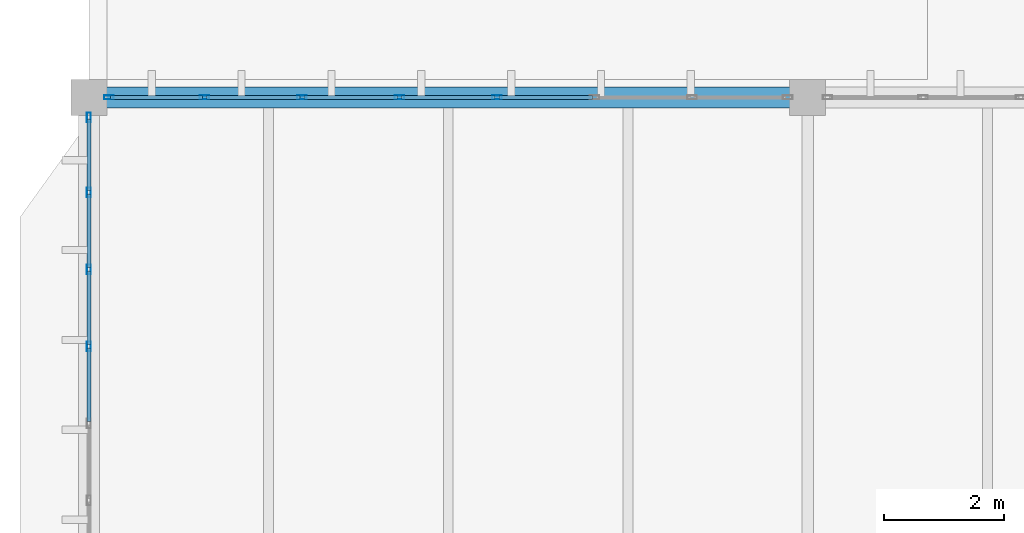
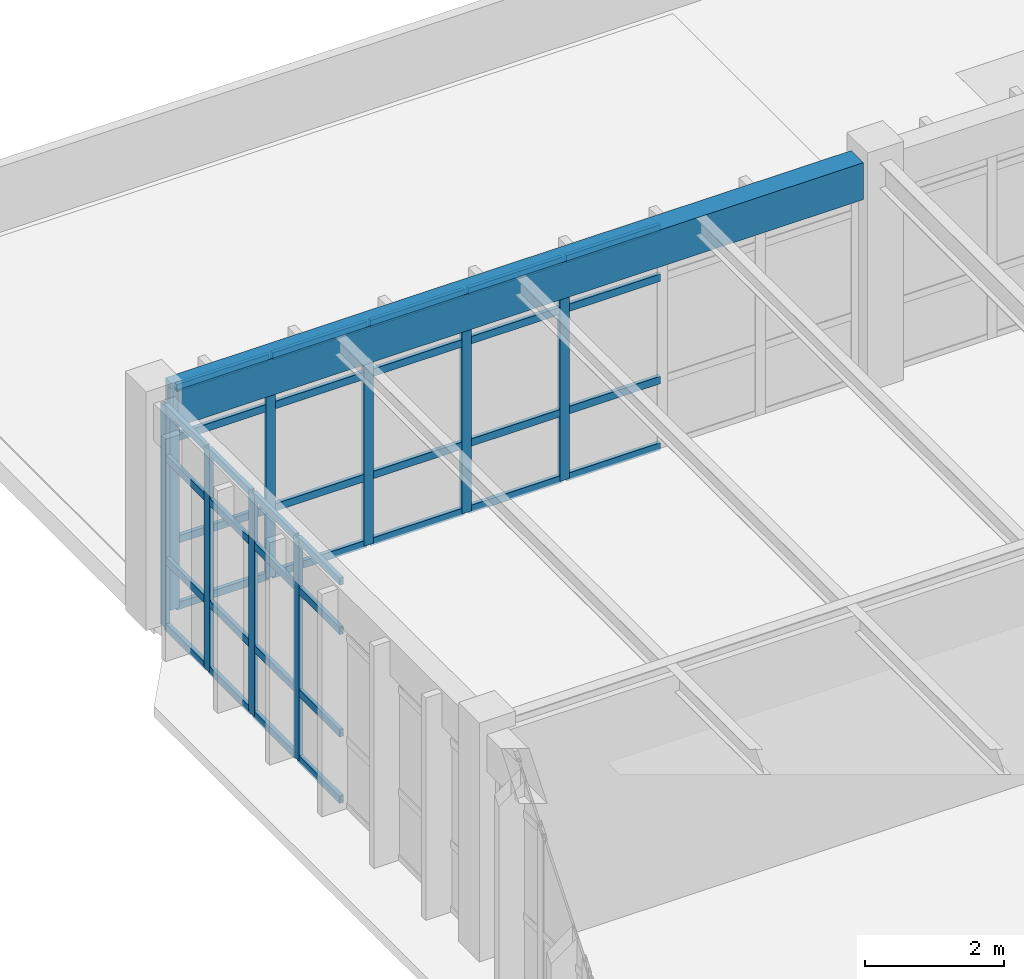
# One storey, part 18 of 37: 45 members, 1 beam, 2 elements without a shape of their own.
"""IFC4 building model written with IfcOpenShell, lengths in metres."""

from ifc_helpers import new_model, si_unit, direction, frame, origin, origin_2d, place, context, subcontext, project, spatial, rectangle, hollow_rectangle, extrude, material, layer, layer_set, material_profile, profile_set, type_object, element, aggregate, save


model = new_model("IFC4")

# Units and contexts
model_context = context("Model", 3, precision=1e-05, world=origin(), true_north=direction((0.0, 1.0)))
body_context = subcontext(model_context, "Body", "Model", "MODEL_VIEW")
ifc_project = project(units=[si_unit("LENGTHUNIT", "METRE"), si_unit("AREAUNIT", "SQUARE_METRE"), si_unit("VOLUMEUNIT", "CUBIC_METRE"), si_unit("PLANEANGLEUNIT", "RADIAN"), si_unit("MASSUNIT", "GRAM", prefix="KILO")], contexts=[model_context])

# Site, building, storey
site_placement = place(None, origin())
site = spatial("IfcSite", under=ifc_project, at=site_placement, CompositionType="ELEMENT")
building_placement = place(site_placement, origin())
building = spatial("IfcBuilding", under=site, at=building_placement, Name="Pandanus Reach Market Hall", CompositionType="ELEMENT")
storey_placement = place(building_placement, frame((0.0, 0.0, 14.39990234375)))
storey = spatial("IfcBuildingStorey", under=building, at=storey_placement, Name="L03", CompositionType="ELEMENT", Elevation=14.39990234375)

# Beam
ifc_material_1 = material(Name="Concrete N40 (40 MPa)", Category="concrete")
ifc_material_profile_1 = material_profile(ifc_material_1, rectangle(XDim=0.35009765625, YDim=0.64990234375, at=origin_2d()), Name="RC350x650", Category="LoadBearing")
ifc_profile_set_1 = profile_set([ifc_material_profile_1], Name="Concrete N40 (40 MPa)")
beam_type = type_object("IfcBeamType", Name="BM-RC350-E", PredefinedType="SPANDREL", material=ifc_profile_set_1)
beam_placement = place(storey_placement, frame((144.298095703125, 76.800048828125, 3.630126953125), z_axis=(1.0, 0.0, 0.0), x_axis=(0.0, 1.0, 0.0)))
element("IfcBeam", 1, at=beam_placement, inside=storey, type_object=beam_type, Name="Framing beam BM-RC350-E L03.551", PredefinedType="SPANDREL", context=body_context, shape_type="SweptSolid", body=[
    extrude(rectangle(XDim=0.35009765625, YDim=0.64990234375, at=origin_2d()), origin(), (0.0, 0.0, 1.0), 11.40380859375),
])

# Curtain wall, members
ifc_material_2 = material(Name="Bronze anodised aluminium and low-E glass", Category="aluminium")
ifc_layer_1 = layer(ifc_material_2, 0.159912109375, Name="CW-31")
ifc_layer_set_1 = layer_set([ifc_layer_1], Name="Bronze anodised aluminium and low-E glass")
curtain_wall_type_1 = type_object("IfcCurtainWallType", Name="CW-31", PredefinedType="NOTDEFINED", material=ifc_layer_set_1)
curtain_wall_1_placement = place(storey_placement, origin())
curtain_wall_1 = element("IfcCurtainWall", 2, at=curtain_wall_1_placement, inside=storey, type_object=curtain_wall_type_1, Name="Glazed curtain wall CW-31 CW-0118", PredefinedType="NOTDEFINED")
ifc_material_3 = material(Name="Bronze anodised aluminium", Category="aluminium")
ifc_material_profile_2 = material_profile(ifc_material_3, hollow_rectangle(XDim=0.06494140625, YDim=0.159912109375, WallThickness=0.00390625, at=origin_2d()), Name="ALU65x160", Category="LoadBearing")
ifc_profile_set_2 = profile_set([ifc_material_profile_2], Name="Bronze anodised aluminium")
member_type_1 = type_object("IfcMemberType", Name="CW-M1", PredefinedType="MULLION", material=ifc_profile_set_2)
member_1_placement = place(storey_placement, frame((144.33251953125, 76.800048828125, 0.0), z_axis=(0.0, 0.0, 1.0), x_axis=(0.0, 1.0, 0.0)))
member_1 = element("IfcMember", 3, at=member_1_placement, type_object=member_type_1, Name="CW-31 mullion 1", PredefinedType="MULLION", context=body_context, shape_type="SweptSolid", body=[
    extrude(hollow_rectangle(XDim=0.06494140625, YDim=0.159912109375, WallThickness=0.00390625, at=origin_2d()), origin(), (0.0, 0.0, 1.0), 3.900146484375),
])
member_2_placement = place(storey_placement, frame((145.928466796875, 76.800048828125, 0.0), z_axis=(0.0, 0.0, 1.0), x_axis=(0.0, 1.0, 0.0)))
member_2 = element("IfcMember", 4, at=member_2_placement, type_object=member_type_1, Name="CW-31 mullion 2", PredefinedType="MULLION", context=body_context, shape_type="SweptSolid", body=[
    extrude(hollow_rectangle(XDim=0.06494140625, YDim=0.159912109375, WallThickness=0.00390625, at=origin_2d()), origin(), (0.0, 0.0, 1.0), 3.900146484375),
])
member_3_placement = place(storey_placement, frame((147.55712890625, 76.800048828125, 0.0), z_axis=(0.0, 0.0, 1.0), x_axis=(0.0, 1.0, 0.0)))
member_3 = element("IfcMember", 5, at=member_3_placement, type_object=member_type_1, Name="CW-31 mullion 3", PredefinedType="MULLION", context=body_context, shape_type="SweptSolid", body=[
    extrude(hollow_rectangle(XDim=0.06494140625, YDim=0.159912109375, WallThickness=0.00390625, at=origin_2d()), origin(), (0.0, 0.0, 1.0), 3.900146484375),
])
member_4_placement = place(storey_placement, frame((149.185791015625, 76.800048828125, 0.0), z_axis=(0.0, 0.0, 1.0), x_axis=(0.0, 1.0, 0.0)))
member_4 = element("IfcMember", 6, at=member_4_placement, type_object=member_type_1, Name="CW-31 mullion 4", PredefinedType="MULLION", context=body_context, shape_type="SweptSolid", body=[
    extrude(hollow_rectangle(XDim=0.06494140625, YDim=0.159912109375, WallThickness=0.00390625, at=origin_2d()), origin(), (0.0, 0.0, 1.0), 3.900146484375),
])
member_5_placement = place(storey_placement, frame((150.814208984375, 76.800048828125, 0.0), z_axis=(0.0, 0.0, 1.0), x_axis=(0.0, 1.0, 0.0)))
member_5 = element("IfcMember", 7, at=member_5_placement, type_object=member_type_1, Name="CW-31 mullion 5", PredefinedType="MULLION", context=body_context, shape_type="SweptSolid", body=[
    extrude(hollow_rectangle(XDim=0.06494140625, YDim=0.159912109375, WallThickness=0.00390625, at=origin_2d()), origin(), (0.0, 0.0, 1.0), 3.900146484375),
])

ifc_layer_2 = layer(ifc_material_2, 0.159912109375, Name="CW-33")
ifc_layer_set_2 = layer_set([ifc_layer_2], Name="Bronze anodised aluminium and low-E glass")
curtain_wall_type_2 = type_object("IfcCurtainWallType", Name="CW-33", PredefinedType="NOTDEFINED", material=ifc_layer_set_2)
curtain_wall_2_placement = place(storey_placement, origin())
curtain_wall_2 = element("IfcCurtainWall", 8, at=curtain_wall_2_placement, inside=storey, type_object=curtain_wall_type_2, Name="Glazed curtain wall CW-33 CW-0126", PredefinedType="NOTDEFINED")
member_6_placement = place(storey_placement, frame((144.0, 72.642822265625, 0.0), z_axis=(0.0, 0.0, 1.0), x_axis=(-1.0, 0.0, 0.0)))
member_6 = element("IfcMember", 9, at=member_6_placement, type_object=member_type_1, Name="CW-33 mullion 5", PredefinedType="MULLION", context=body_context, shape_type="SweptSolid", body=[
    extrude(hollow_rectangle(XDim=0.06494140625, YDim=0.159912109375, WallThickness=0.00390625, at=origin_2d()), origin(), (0.0, 0.0, 1.0), 3.900146484375),
])
member_7_placement = place(storey_placement, frame((144.0, 73.928466796875, 0.0), z_axis=(0.0, 0.0, 1.0), x_axis=(-1.0, 0.0, 0.0)))
member_7 = element("IfcMember", 10, at=member_7_placement, type_object=member_type_1, Name="CW-33 mullion 6", PredefinedType="MULLION", context=body_context, shape_type="SweptSolid", body=[
    extrude(hollow_rectangle(XDim=0.06494140625, YDim=0.159912109375, WallThickness=0.00390625, at=origin_2d()), origin(), (0.0, 0.0, 1.0), 3.900146484375),
])
member_8_placement = place(storey_placement, frame((144.0, 75.21435546875, 0.0), z_axis=(0.0, 0.0, 1.0), x_axis=(-1.0, 0.0, 0.0)))
member_8 = element("IfcMember", 11, at=member_8_placement, type_object=member_type_1, Name="CW-33 mullion 7", PredefinedType="MULLION", context=body_context, shape_type="SweptSolid", body=[
    extrude(hollow_rectangle(XDim=0.06494140625, YDim=0.159912109375, WallThickness=0.00390625, at=origin_2d()), origin(), (0.0, 0.0, 1.0), 3.900146484375),
])
member_9_placement = place(storey_placement, frame((144.0, 76.467529296875, 0.0), z_axis=(0.0, 0.0, 1.0), x_axis=(-1.0, 0.0, 0.0)))
member_9 = element("IfcMember", 12, at=member_9_placement, type_object=member_type_1, Name="CW-33 mullion 8", PredefinedType="MULLION", context=body_context, shape_type="SweptSolid", body=[
    extrude(hollow_rectangle(XDim=0.06494140625, YDim=0.159912109375, WallThickness=0.00390625, at=origin_2d()), origin(), (0.0, 0.0, 1.0), 3.900146484375),
])

# Member
ifc_material_profile_3 = material_profile(ifc_material_3, hollow_rectangle(XDim=0.06494140625, YDim=0.1298828125, WallThickness=0.00390625, at=origin_2d()), Name="ALU65x130", Category="LoadBearing")
ifc_profile_set_3 = profile_set([ifc_material_profile_3], Name="Bronze anodised aluminium")
member_type_2 = type_object("IfcMemberType", Name="CW-T1", PredefinedType="USERDEFINED", material=ifc_profile_set_3)
member_10_placement = place(storey_placement, frame((144.364990234375, 76.800048828125, 0.03271484375), z_axis=(1.0, 0.0, 0.0), x_axis=(0.0, 1.0, 0.0)))
member_10 = element("IfcMember", 13, at=member_10_placement, type_object=member_type_2, Name="CW-31 transom 1.1", ObjectType="TRANSOM", PredefinedType="USERDEFINED", context=body_context, shape_type="SweptSolid", body=[
    extrude(hollow_rectangle(XDim=0.06494140625, YDim=0.1298828125, WallThickness=0.00390625, at=origin_2d()), origin(), (0.0, 0.0, 1.0), 1.531005859375),
])

member_11_placement = place(storey_placement, frame((144.364990234375, 76.800048828125, 1.2001953125), z_axis=(1.0, 0.0, 0.0), x_axis=(0.0, 1.0, 0.0)))
member_11 = element("IfcMember", 14, at=member_11_placement, type_object=member_type_2, Name="CW-31 transom 1.2", ObjectType="TRANSOM", PredefinedType="USERDEFINED", context=body_context, shape_type="SweptSolid", body=[
    extrude(hollow_rectangle(XDim=0.06494140625, YDim=0.1298828125, WallThickness=0.00390625, at=origin_2d()), origin(), (0.0, 0.0, 1.0), 1.531005859375),
])

member_12_placement = place(storey_placement, frame((144.364990234375, 76.800048828125, 3.0), z_axis=(1.0, 0.0, 0.0), x_axis=(0.0, 1.0, 0.0)))
member_12 = element("IfcMember", 15, at=member_12_placement, type_object=member_type_2, Name="CW-31 transom 1.3", ObjectType="TRANSOM", PredefinedType="USERDEFINED", context=body_context, shape_type="SweptSolid", body=[
    extrude(hollow_rectangle(XDim=0.06494140625, YDim=0.1298828125, WallThickness=0.00390625, at=origin_2d()), origin(), (0.0, 0.0, 1.0), 1.531005859375),
])

member_13_placement = place(storey_placement, frame((144.364990234375, 76.800048828125, 3.86767578125), z_axis=(1.0, 0.0, 0.0), x_axis=(0.0, 1.0, 0.0)))
member_13 = element("IfcMember", 16, at=member_13_placement, type_object=member_type_2, Name="CW-31 transom 1.4", ObjectType="TRANSOM", PredefinedType="USERDEFINED", context=body_context, shape_type="SweptSolid", body=[
    extrude(hollow_rectangle(XDim=0.06494140625, YDim=0.1298828125, WallThickness=0.00390625, at=origin_2d()), origin(), (0.0, 0.0, 1.0), 1.531005859375),
])

member_14_placement = place(storey_placement, frame((145.961181640625, 76.800048828125, 0.03271484375), z_axis=(1.0, 0.0, 0.0), x_axis=(0.0, 1.0, 0.0)))
member_14 = element("IfcMember", 17, at=member_14_placement, type_object=member_type_2, Name="CW-31 transom 2.1", ObjectType="TRANSOM", PredefinedType="USERDEFINED", context=body_context, shape_type="SweptSolid", body=[
    extrude(hollow_rectangle(XDim=0.06494140625, YDim=0.1298828125, WallThickness=0.00390625, at=origin_2d()), origin(), (0.0, 0.0, 1.0), 1.5634765625),
])

member_15_placement = place(storey_placement, frame((145.961181640625, 76.800048828125, 1.2001953125), z_axis=(1.0, 0.0, 0.0), x_axis=(0.0, 1.0, 0.0)))
member_15 = element("IfcMember", 18, at=member_15_placement, type_object=member_type_2, Name="CW-31 transom 2.2", ObjectType="TRANSOM", PredefinedType="USERDEFINED", context=body_context, shape_type="SweptSolid", body=[
    extrude(hollow_rectangle(XDim=0.06494140625, YDim=0.1298828125, WallThickness=0.00390625, at=origin_2d()), origin(), (0.0, 0.0, 1.0), 1.5634765625),
])

member_16_placement = place(storey_placement, frame((145.961181640625, 76.800048828125, 3.0), z_axis=(1.0, 0.0, 0.0), x_axis=(0.0, 1.0, 0.0)))
member_16 = element("IfcMember", 19, at=member_16_placement, type_object=member_type_2, Name="CW-31 transom 2.3", ObjectType="TRANSOM", PredefinedType="USERDEFINED", context=body_context, shape_type="SweptSolid", body=[
    extrude(hollow_rectangle(XDim=0.06494140625, YDim=0.1298828125, WallThickness=0.00390625, at=origin_2d()), origin(), (0.0, 0.0, 1.0), 1.5634765625),
])

member_17_placement = place(storey_placement, frame((145.961181640625, 76.800048828125, 3.86767578125), z_axis=(1.0, 0.0, 0.0), x_axis=(0.0, 1.0, 0.0)))
member_17 = element("IfcMember", 20, at=member_17_placement, type_object=member_type_2, Name="CW-31 transom 2.4", ObjectType="TRANSOM", PredefinedType="USERDEFINED", context=body_context, shape_type="SweptSolid", body=[
    extrude(hollow_rectangle(XDim=0.06494140625, YDim=0.1298828125, WallThickness=0.00390625, at=origin_2d()), origin(), (0.0, 0.0, 1.0), 1.5634765625),
])

member_18_placement = place(storey_placement, frame((147.589599609375, 76.800048828125, 0.03271484375), z_axis=(1.0, 0.0, 0.0), x_axis=(0.0, 1.0, 0.0)))
member_18 = element("IfcMember", 21, at=member_18_placement, type_object=member_type_2, Name="CW-31 transom 3.1", ObjectType="TRANSOM", PredefinedType="USERDEFINED", context=body_context, shape_type="SweptSolid", body=[
    extrude(hollow_rectangle(XDim=0.06494140625, YDim=0.1298828125, WallThickness=0.00390625, at=origin_2d()), origin(), (0.0, 0.0, 1.0), 1.563720703125),
])

member_19_placement = place(storey_placement, frame((147.589599609375, 76.800048828125, 1.2001953125), z_axis=(1.0, 0.0, 0.0), x_axis=(0.0, 1.0, 0.0)))
member_19 = element("IfcMember", 22, at=member_19_placement, type_object=member_type_2, Name="CW-31 transom 3.2", ObjectType="TRANSOM", PredefinedType="USERDEFINED", context=body_context, shape_type="SweptSolid", body=[
    extrude(hollow_rectangle(XDim=0.06494140625, YDim=0.1298828125, WallThickness=0.00390625, at=origin_2d()), origin(), (0.0, 0.0, 1.0), 1.563720703125),
])

member_20_placement = place(storey_placement, frame((147.589599609375, 76.800048828125, 3.0), z_axis=(1.0, 0.0, 0.0), x_axis=(0.0, 1.0, 0.0)))
member_20 = element("IfcMember", 23, at=member_20_placement, type_object=member_type_2, Name="CW-31 transom 3.3", ObjectType="TRANSOM", PredefinedType="USERDEFINED", context=body_context, shape_type="SweptSolid", body=[
    extrude(hollow_rectangle(XDim=0.06494140625, YDim=0.1298828125, WallThickness=0.00390625, at=origin_2d()), origin(), (0.0, 0.0, 1.0), 1.563720703125),
])

member_21_placement = place(storey_placement, frame((147.589599609375, 76.800048828125, 3.86767578125), z_axis=(1.0, 0.0, 0.0), x_axis=(0.0, 1.0, 0.0)))
member_21 = element("IfcMember", 24, at=member_21_placement, type_object=member_type_2, Name="CW-31 transom 3.4", ObjectType="TRANSOM", PredefinedType="USERDEFINED", context=body_context, shape_type="SweptSolid", body=[
    extrude(hollow_rectangle(XDim=0.06494140625, YDim=0.1298828125, WallThickness=0.00390625, at=origin_2d()), origin(), (0.0, 0.0, 1.0), 1.563720703125),
])

member_22_placement = place(storey_placement, frame((149.21826171875, 76.800048828125, 0.03271484375), z_axis=(1.0, 0.0, 0.0), x_axis=(0.0, 1.0, 0.0)))
member_22 = element("IfcMember", 25, at=member_22_placement, type_object=member_type_2, Name="CW-31 transom 4.1", ObjectType="TRANSOM", PredefinedType="USERDEFINED", context=body_context, shape_type="SweptSolid", body=[
    extrude(hollow_rectangle(XDim=0.06494140625, YDim=0.1298828125, WallThickness=0.00390625, at=origin_2d()), origin(), (0.0, 0.0, 1.0), 1.5634765625),
])

member_23_placement = place(storey_placement, frame((149.21826171875, 76.800048828125, 1.2001953125), z_axis=(1.0, 0.0, 0.0), x_axis=(0.0, 1.0, 0.0)))
member_23 = element("IfcMember", 26, at=member_23_placement, type_object=member_type_2, Name="CW-31 transom 4.2", ObjectType="TRANSOM", PredefinedType="USERDEFINED", context=body_context, shape_type="SweptSolid", body=[
    extrude(hollow_rectangle(XDim=0.06494140625, YDim=0.1298828125, WallThickness=0.00390625, at=origin_2d()), origin(), (0.0, 0.0, 1.0), 1.5634765625),
])

member_24_placement = place(storey_placement, frame((149.21826171875, 76.800048828125, 3.0), z_axis=(1.0, 0.0, 0.0), x_axis=(0.0, 1.0, 0.0)))
member_24 = element("IfcMember", 27, at=member_24_placement, type_object=member_type_2, Name="CW-31 transom 4.3", ObjectType="TRANSOM", PredefinedType="USERDEFINED", context=body_context, shape_type="SweptSolid", body=[
    extrude(hollow_rectangle(XDim=0.06494140625, YDim=0.1298828125, WallThickness=0.00390625, at=origin_2d()), origin(), (0.0, 0.0, 1.0), 1.5634765625),
])

member_25_placement = place(storey_placement, frame((149.21826171875, 76.800048828125, 3.86767578125), z_axis=(1.0, 0.0, 0.0), x_axis=(0.0, 1.0, 0.0)))
member_25 = element("IfcMember", 28, at=member_25_placement, type_object=member_type_2, Name="CW-31 transom 4.4", ObjectType="TRANSOM", PredefinedType="USERDEFINED", context=body_context, shape_type="SweptSolid", body=[
    extrude(hollow_rectangle(XDim=0.06494140625, YDim=0.1298828125, WallThickness=0.00390625, at=origin_2d()), origin(), (0.0, 0.0, 1.0), 1.5634765625),
])

member_26_placement = place(storey_placement, frame((150.8466796875, 76.800048828125, 0.03271484375), z_axis=(1.0, 0.0, 0.0), x_axis=(0.0, 1.0, 0.0)))
member_26 = element("IfcMember", 29, at=member_26_placement, type_object=member_type_2, Name="CW-31 transom 5.1", ObjectType="TRANSOM", PredefinedType="USERDEFINED", context=body_context, shape_type="SweptSolid", body=[
    extrude(hollow_rectangle(XDim=0.06494140625, YDim=0.1298828125, WallThickness=0.00390625, at=origin_2d()), origin(), (0.0, 0.0, 1.0), 1.563720703125),
])

member_27_placement = place(storey_placement, frame((150.8466796875, 76.800048828125, 1.2001953125), z_axis=(1.0, 0.0, 0.0), x_axis=(0.0, 1.0, 0.0)))
member_27 = element("IfcMember", 30, at=member_27_placement, type_object=member_type_2, Name="CW-31 transom 5.2", ObjectType="TRANSOM", PredefinedType="USERDEFINED", context=body_context, shape_type="SweptSolid", body=[
    extrude(hollow_rectangle(XDim=0.06494140625, YDim=0.1298828125, WallThickness=0.00390625, at=origin_2d()), origin(), (0.0, 0.0, 1.0), 1.563720703125),
])

member_28_placement = place(storey_placement, frame((150.8466796875, 76.800048828125, 3.0), z_axis=(1.0, 0.0, 0.0), x_axis=(0.0, 1.0, 0.0)))
member_28 = element("IfcMember", 31, at=member_28_placement, type_object=member_type_2, Name="CW-31 transom 5.3", ObjectType="TRANSOM", PredefinedType="USERDEFINED", context=body_context, shape_type="SweptSolid", body=[
    extrude(hollow_rectangle(XDim=0.06494140625, YDim=0.1298828125, WallThickness=0.00390625, at=origin_2d()), origin(), (0.0, 0.0, 1.0), 1.563720703125),
])

member_29_placement = place(storey_placement, frame((150.8466796875, 76.800048828125, 3.86767578125), z_axis=(1.0, 0.0, 0.0), x_axis=(0.0, 1.0, 0.0)))
member_29 = element("IfcMember", 32, at=member_29_placement, type_object=member_type_2, Name="CW-31 transom 5.4", ObjectType="TRANSOM", PredefinedType="USERDEFINED", context=body_context, shape_type="SweptSolid", body=[
    extrude(hollow_rectangle(XDim=0.06494140625, YDim=0.1298828125, WallThickness=0.00390625, at=origin_2d()), origin(), (0.0, 0.0, 1.0), 1.563720703125),
])

aggregate(curtain_wall_1, [member_1, member_2, member_3, member_4, member_5, member_10, member_11, member_12, member_13, member_14, member_15, member_16, member_17, member_18, member_19, member_20, member_21, member_22, member_23, member_24, member_25, member_26, member_27, member_28, member_29])

member_30_placement = place(storey_placement, frame((144.0, 71.3896484375, 0.03271484375), z_axis=(0.0, 1.0, 0.0), x_axis=(-1.0, 0.0, 0.0)))
member_30 = element("IfcMember", 33, at=member_30_placement, type_object=member_type_2, Name="CW-33 transom 4.1", ObjectType="TRANSOM", PredefinedType="USERDEFINED", context=body_context, shape_type="SweptSolid", body=[
    extrude(hollow_rectangle(XDim=0.06494140625, YDim=0.1298828125, WallThickness=0.00390625, at=origin_2d()), origin(), (0.0, 0.0, 1.0), 1.220703125),
])

member_31_placement = place(storey_placement, frame((144.0, 71.3896484375, 1.2001953125), z_axis=(0.0, 1.0, 0.0), x_axis=(-1.0, 0.0, 0.0)))
member_31 = element("IfcMember", 34, at=member_31_placement, type_object=member_type_2, Name="CW-33 transom 4.2", ObjectType="TRANSOM", PredefinedType="USERDEFINED", context=body_context, shape_type="SweptSolid", body=[
    extrude(hollow_rectangle(XDim=0.06494140625, YDim=0.1298828125, WallThickness=0.00390625, at=origin_2d()), origin(), (0.0, 0.0, 1.0), 1.220703125),
])

member_32_placement = place(storey_placement, frame((144.0, 71.3896484375, 3.0), z_axis=(0.0, 1.0, 0.0), x_axis=(-1.0, 0.0, 0.0)))
member_32 = element("IfcMember", 35, at=member_32_placement, type_object=member_type_2, Name="CW-33 transom 4.3", ObjectType="TRANSOM", PredefinedType="USERDEFINED", context=body_context, shape_type="SweptSolid", body=[
    extrude(hollow_rectangle(XDim=0.06494140625, YDim=0.1298828125, WallThickness=0.00390625, at=origin_2d()), origin(), (0.0, 0.0, 1.0), 1.220703125),
])

member_33_placement = place(storey_placement, frame((144.0, 71.3896484375, 3.86767578125), z_axis=(0.0, 1.0, 0.0), x_axis=(-1.0, 0.0, 0.0)))
member_33 = element("IfcMember", 36, at=member_33_placement, type_object=member_type_2, Name="CW-33 transom 4.4", ObjectType="TRANSOM", PredefinedType="USERDEFINED", context=body_context, shape_type="SweptSolid", body=[
    extrude(hollow_rectangle(XDim=0.06494140625, YDim=0.1298828125, WallThickness=0.00390625, at=origin_2d()), origin(), (0.0, 0.0, 1.0), 1.220703125),
])

member_34_placement = place(storey_placement, frame((144.0, 72.67529296875, 0.03271484375), z_axis=(0.0, 1.0, 0.0), x_axis=(-1.0, 0.0, 0.0)))
member_34 = element("IfcMember", 37, at=member_34_placement, type_object=member_type_2, Name="CW-33 transom 5.1", ObjectType="TRANSOM", PredefinedType="USERDEFINED", context=body_context, shape_type="SweptSolid", body=[
    extrude(hollow_rectangle(XDim=0.06494140625, YDim=0.1298828125, WallThickness=0.00390625, at=origin_2d()), origin(), (0.0, 0.0, 1.0), 1.220703125),
])

member_35_placement = place(storey_placement, frame((144.0, 72.67529296875, 1.2001953125), z_axis=(0.0, 1.0, 0.0), x_axis=(-1.0, 0.0, 0.0)))
member_35 = element("IfcMember", 38, at=member_35_placement, type_object=member_type_2, Name="CW-33 transom 5.2", ObjectType="TRANSOM", PredefinedType="USERDEFINED", context=body_context, shape_type="SweptSolid", body=[
    extrude(hollow_rectangle(XDim=0.06494140625, YDim=0.1298828125, WallThickness=0.00390625, at=origin_2d()), origin(), (0.0, 0.0, 1.0), 1.220703125),
])

member_36_placement = place(storey_placement, frame((144.0, 72.67529296875, 3.0), z_axis=(0.0, 1.0, 0.0), x_axis=(-1.0, 0.0, 0.0)))
member_36 = element("IfcMember", 39, at=member_36_placement, type_object=member_type_2, Name="CW-33 transom 5.3", ObjectType="TRANSOM", PredefinedType="USERDEFINED", context=body_context, shape_type="SweptSolid", body=[
    extrude(hollow_rectangle(XDim=0.06494140625, YDim=0.1298828125, WallThickness=0.00390625, at=origin_2d()), origin(), (0.0, 0.0, 1.0), 1.220703125),
])

member_37_placement = place(storey_placement, frame((144.0, 72.67529296875, 3.86767578125), z_axis=(0.0, 1.0, 0.0), x_axis=(-1.0, 0.0, 0.0)))
member_37 = element("IfcMember", 40, at=member_37_placement, type_object=member_type_2, Name="CW-33 transom 5.4", ObjectType="TRANSOM", PredefinedType="USERDEFINED", context=body_context, shape_type="SweptSolid", body=[
    extrude(hollow_rectangle(XDim=0.06494140625, YDim=0.1298828125, WallThickness=0.00390625, at=origin_2d()), origin(), (0.0, 0.0, 1.0), 1.220703125),
])

member_38_placement = place(storey_placement, frame((144.0, 73.961181640625, 0.03271484375), z_axis=(0.0, 1.0, 0.0), x_axis=(-1.0, 0.0, 0.0)))
member_38 = element("IfcMember", 41, at=member_38_placement, type_object=member_type_2, Name="CW-33 transom 6.1", ObjectType="TRANSOM", PredefinedType="USERDEFINED", context=body_context, shape_type="SweptSolid", body=[
    extrude(hollow_rectangle(XDim=0.06494140625, YDim=0.1298828125, WallThickness=0.00390625, at=origin_2d()), origin(), (0.0, 0.0, 1.0), 1.220703125),
])

member_39_placement = place(storey_placement, frame((144.0, 73.961181640625, 1.2001953125), z_axis=(0.0, 1.0, 0.0), x_axis=(-1.0, 0.0, 0.0)))
member_39 = element("IfcMember", 42, at=member_39_placement, type_object=member_type_2, Name="CW-33 transom 6.2", ObjectType="TRANSOM", PredefinedType="USERDEFINED", context=body_context, shape_type="SweptSolid", body=[
    extrude(hollow_rectangle(XDim=0.06494140625, YDim=0.1298828125, WallThickness=0.00390625, at=origin_2d()), origin(), (0.0, 0.0, 1.0), 1.220703125),
])

member_40_placement = place(storey_placement, frame((144.0, 73.961181640625, 3.0), z_axis=(0.0, 1.0, 0.0), x_axis=(-1.0, 0.0, 0.0)))
member_40 = element("IfcMember", 43, at=member_40_placement, type_object=member_type_2, Name="CW-33 transom 6.3", ObjectType="TRANSOM", PredefinedType="USERDEFINED", context=body_context, shape_type="SweptSolid", body=[
    extrude(hollow_rectangle(XDim=0.06494140625, YDim=0.1298828125, WallThickness=0.00390625, at=origin_2d()), origin(), (0.0, 0.0, 1.0), 1.220703125),
])

member_41_placement = place(storey_placement, frame((144.0, 73.961181640625, 3.86767578125), z_axis=(0.0, 1.0, 0.0), x_axis=(-1.0, 0.0, 0.0)))
member_41 = element("IfcMember", 44, at=member_41_placement, type_object=member_type_2, Name="CW-33 transom 6.4", ObjectType="TRANSOM", PredefinedType="USERDEFINED", context=body_context, shape_type="SweptSolid", body=[
    extrude(hollow_rectangle(XDim=0.06494140625, YDim=0.1298828125, WallThickness=0.00390625, at=origin_2d()), origin(), (0.0, 0.0, 1.0), 1.220703125),
])

member_42_placement = place(storey_placement, frame((144.0, 75.246826171875, 0.03271484375), z_axis=(0.0, 1.0, 0.0), x_axis=(-1.0, 0.0, 0.0)))
member_42 = element("IfcMember", 45, at=member_42_placement, type_object=member_type_2, Name="CW-33 transom 7.1", ObjectType="TRANSOM", PredefinedType="USERDEFINED", context=body_context, shape_type="SweptSolid", body=[
    extrude(hollow_rectangle(XDim=0.06494140625, YDim=0.1298828125, WallThickness=0.00390625, at=origin_2d()), origin(), (0.0, 0.0, 1.0), 1.188232421875),
])

member_43_placement = place(storey_placement, frame((144.0, 75.246826171875, 1.2001953125), z_axis=(0.0, 1.0, 0.0), x_axis=(-1.0, 0.0, 0.0)))
member_43 = element("IfcMember", 46, at=member_43_placement, type_object=member_type_2, Name="CW-33 transom 7.2", ObjectType="TRANSOM", PredefinedType="USERDEFINED", context=body_context, shape_type="SweptSolid", body=[
    extrude(hollow_rectangle(XDim=0.06494140625, YDim=0.1298828125, WallThickness=0.00390625, at=origin_2d()), origin(), (0.0, 0.0, 1.0), 1.188232421875),
])

member_44_placement = place(storey_placement, frame((144.0, 75.246826171875, 3.0), z_axis=(0.0, 1.0, 0.0), x_axis=(-1.0, 0.0, 0.0)))
member_44 = element("IfcMember", 47, at=member_44_placement, type_object=member_type_2, Name="CW-33 transom 7.3", ObjectType="TRANSOM", PredefinedType="USERDEFINED", context=body_context, shape_type="SweptSolid", body=[
    extrude(hollow_rectangle(XDim=0.06494140625, YDim=0.1298828125, WallThickness=0.00390625, at=origin_2d()), origin(), (0.0, 0.0, 1.0), 1.188232421875),
])

member_45_placement = place(storey_placement, frame((144.0, 75.246826171875, 3.86767578125), z_axis=(0.0, 1.0, 0.0), x_axis=(-1.0, 0.0, 0.0)))
member_45 = element("IfcMember", 48, at=member_45_placement, type_object=member_type_2, Name="CW-33 transom 7.4", ObjectType="TRANSOM", PredefinedType="USERDEFINED", context=body_context, shape_type="SweptSolid", body=[
    extrude(hollow_rectangle(XDim=0.06494140625, YDim=0.1298828125, WallThickness=0.00390625, at=origin_2d()), origin(), (0.0, 0.0, 1.0), 1.188232421875),
])

aggregate(curtain_wall_2, [member_6, member_7, member_8, member_9, member_30, member_31, member_32, member_33, member_34, member_35, member_36, member_37, member_38, member_39, member_40, member_41, member_42, member_43, member_44, member_45])

save(model, "model.ifc")
